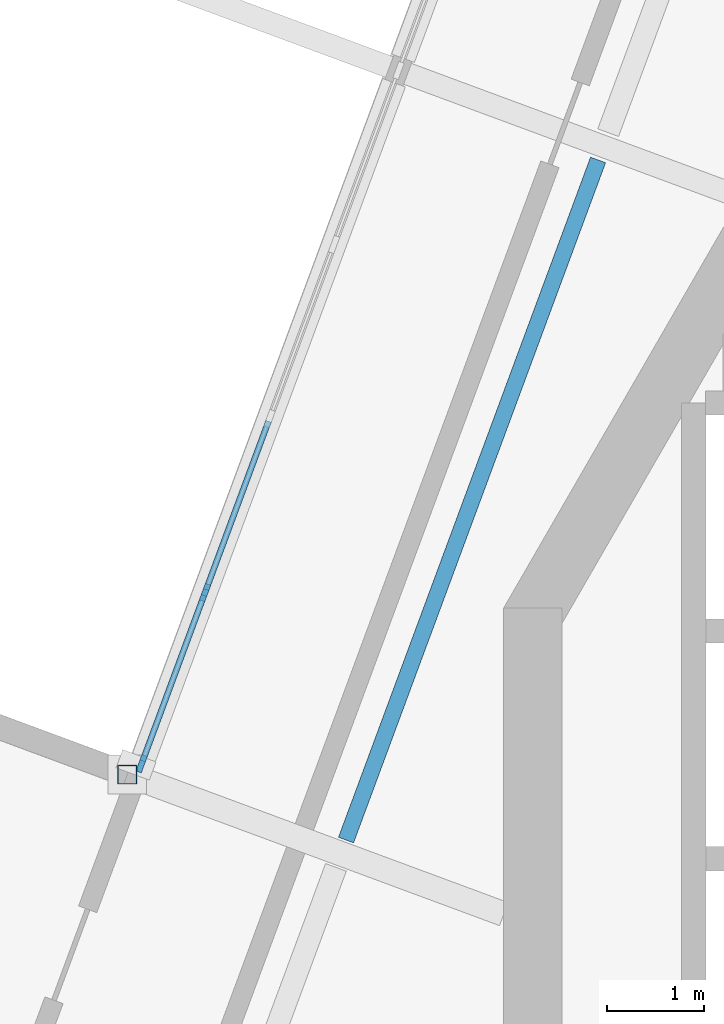
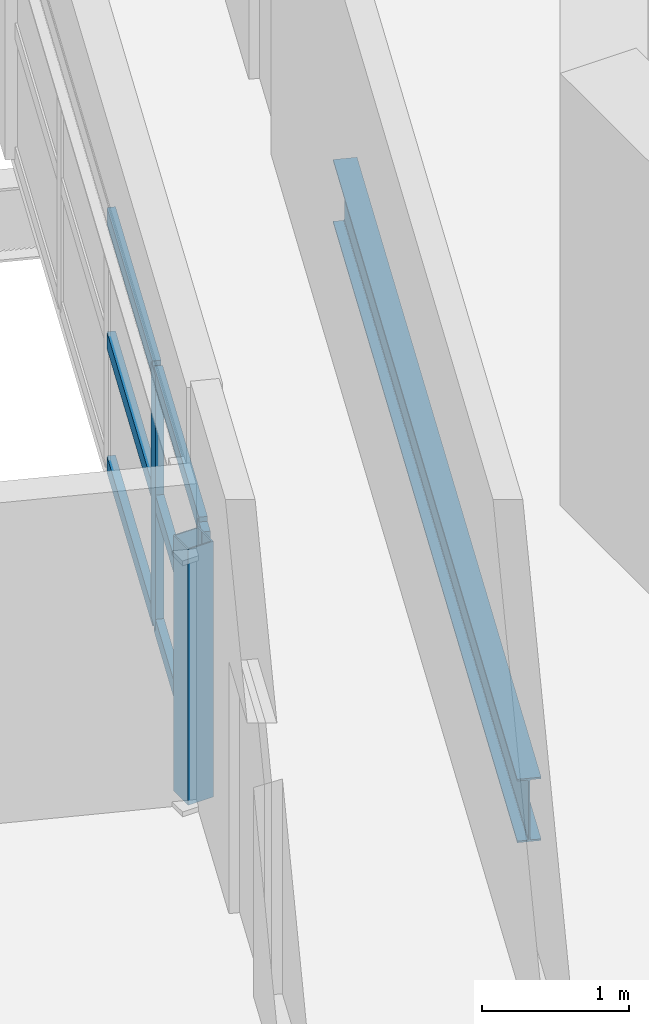
# One storey, part 2 of 20: 9 members, 1 beam, 1 element without a shape of its own.
"""IFC4 building model written with IfcOpenShell, lengths in metres."""

from ifc_helpers import new_model, si_unit, direction, frame, origin, origin_2d, place, context, subcontext, project, spatial, rectangle, hollow_rectangle, i_section, extrude, material, material_profile, profile_set, type_object, element, aggregate, save


model = new_model("IFC4")

# Units and contexts
model_context = context("Model", 3, precision=1e-05, world=origin(), true_north=direction((0.0, 1.0)))
body_context = subcontext(model_context, "Body", "Model", "MODEL_VIEW")
ifc_project = project(units=[si_unit("LENGTHUNIT", "METRE"), si_unit("AREAUNIT", "SQUARE_METRE"), si_unit("VOLUMEUNIT", "CUBIC_METRE"), si_unit("PLANEANGLEUNIT", "RADIAN"), si_unit("MASSUNIT", "GRAM", prefix="KILO")], contexts=[model_context])

# Site, building, storey
site_placement = place(None, origin())
site = spatial("IfcSite", under=ifc_project, at=site_placement, CompositionType="ELEMENT")
building_placement = place(site_placement, origin())
building = spatial("IfcBuilding", under=site, at=building_placement, Name="Cantera Rosa Tower", CompositionType="ELEMENT")
storey_placement = place(building_placement, frame((0.0, 0.0, 309.699951171875)))
storey = spatial("IfcBuildingStorey", under=building, at=storey_placement, Name="L68", CompositionType="ELEMENT", Elevation=309.699951171875)

# Curtain wall, members
ifc_material_1 = material(Name="Aluminium frame with clear glass", Category="aluminium")
curtain_wall_type = type_object("IfcCurtainWallType", Name="CW1 TERRACE POCKET GLAZING", PredefinedType="NOTDEFINED", material=ifc_material_1)
curtain_wall_placement = place(storey_placement, origin())
curtain_wall = element("IfcCurtainWall", 1, at=curtain_wall_placement, inside=storey, type_object=curtain_wall_type, Name="CW1 CW1", PredefinedType="NOTDEFINED")
ifc_material_2 = material(Name="Anodised bronze aluminium", Category="aluminium")
ifc_material_profile_1 = material_profile(ifc_material_2, rectangle(XDim=0.06005859375, YDim=0.179931640625, at=origin_2d()), Name="CW-MULLION 60x180 POCKET")
ifc_profile_set_1 = profile_set([ifc_material_profile_1], Name="Anodised bronze aluminium")
member_type_1 = type_object("IfcMemberType", Name="CW-MULLION 60x180 POCKET", PredefinedType="MULLION", material=ifc_profile_set_1)
member_1_placement = place(storey_placement, frame((-12.739501953125, 2.74658203125, 0.0), z_axis=(0.0, 0.0, 1.0), x_axis=(0.93768693693, -0.347481234472, 0.0)))
member_1 = element("IfcMember", 2, at=member_1_placement, type_object=member_type_1, Name="CW1 mullion 8", PredefinedType="MULLION", context=body_context, shape_type="SweptSolid", body=[
    extrude(rectangle(XDim=0.06005859375, YDim=0.179931640625, at=origin_2d()), origin(), (0.0, 0.0, 1.0), 2.1279296875),
])
member_2_placement = place(storey_placement, frame((-13.39404296875, 0.980224609375, 0.0), z_axis=(0.0, 0.0, 1.0), x_axis=(0.93768693693, -0.347481234472, 0.0)))
member_2 = element("IfcMember", 3, at=member_2_placement, type_object=member_type_1, Name="CW1 mullion 9", PredefinedType="MULLION", context=body_context, shape_type="SweptSolid", body=[
    extrude(rectangle(XDim=0.06005859375, YDim=0.179931640625, at=origin_2d()), origin(), (0.0, 0.0, 1.0), 2.1279296875),
])
ifc_material_3 = material(Name="Anodised bronze aluminium", Category="aluminium")
ifc_material_profile_2 = material_profile(ifc_material_3, rectangle(XDim=0.06005859375, YDim=0.139892578125, at=origin_2d()), Name="CW-TRANSOM 60x140 POCKET")
ifc_profile_set_2 = profile_set([ifc_material_profile_2], Name="Anodised bronze aluminium")
member_type_2 = type_object("IfcMemberType", Name="CW-TRANSOM 60x140 POCKET", PredefinedType="USERDEFINED", material=ifc_profile_set_2)
member_3_placement = place(storey_placement, frame((-12.0849609375, 4.512939453125, 0.030029296875), z_axis=(-0.347425877782, -0.937707448753, 0.0), x_axis=(0.937707448753, -0.347425877782, 0.0)))
member_3 = element("IfcMember", 4, at=member_3_placement, type_object=member_type_2, Name="CW1 transom 7.1", ObjectType="TRANSOM", PredefinedType="USERDEFINED", context=body_context, shape_type="SweptSolid", body=[
    extrude(rectangle(XDim=0.06005859375, YDim=0.139892578125, at=origin_2d()), origin(), (0.0, 0.0, 1.0), 1.853759765625),
])
member_4_placement = place(storey_placement, frame((-12.0849609375, 4.512939453125, 1.06396484375), z_axis=(-0.347425877782, -0.937707448753, 0.0), x_axis=(0.937707448753, -0.347425877782, 0.0)))
member_4 = element("IfcMember", 5, at=member_4_placement, type_object=member_type_2, Name="CW1 transom 7.2", ObjectType="TRANSOM", PredefinedType="USERDEFINED", context=body_context, shape_type="SweptSolid", body=[
    extrude(rectangle(XDim=0.06005859375, YDim=0.139892578125, at=origin_2d()), origin(), (0.0, 0.0, 1.0), 1.853759765625),
])
member_5_placement = place(storey_placement, frame((-12.0849609375, 4.512939453125, 2.09814453125), z_axis=(-0.347425877782, -0.937707448753, 0.0), x_axis=(0.937707448753, -0.347425877782, 0.0)))
member_5 = element("IfcMember", 6, at=member_5_placement, type_object=member_type_2, Name="CW1 transom 7.3", ObjectType="TRANSOM", PredefinedType="USERDEFINED", context=body_context, shape_type="SweptSolid", body=[
    extrude(rectangle(XDim=0.06005859375, YDim=0.139892578125, at=origin_2d()), origin(), (0.0, 0.0, 1.0), 1.853759765625),
])
member_6_placement = place(storey_placement, frame((-12.749755859375, 2.718505859375, 0.030029296875), z_axis=(-0.347497456421, -0.937680925358, 0.0), x_axis=(0.937680925358, -0.347497456421, 0.0)))
member_6 = element("IfcMember", 7, at=member_6_placement, type_object=member_type_2, Name="CW1 transom 8.1", ObjectType="TRANSOM", PredefinedType="USERDEFINED", context=body_context, shape_type="SweptSolid", body=[
    extrude(rectangle(XDim=0.06005859375, YDim=0.139892578125, at=origin_2d()), origin(), (0.0, 0.0, 1.0), 1.823974609375),
])
member_7_placement = place(storey_placement, frame((-12.749755859375, 2.718505859375, 1.06396484375), z_axis=(-0.347497456421, -0.937680925358, 0.0), x_axis=(0.937680925358, -0.347497456421, 0.0)))
member_7 = element("IfcMember", 8, at=member_7_placement, type_object=member_type_2, Name="CW1 transom 8.2", ObjectType="TRANSOM", PredefinedType="USERDEFINED", context=body_context, shape_type="SweptSolid", body=[
    extrude(rectangle(XDim=0.06005859375, YDim=0.139892578125, at=origin_2d()), origin(), (0.0, 0.0, 1.0), 1.823974609375),
])
member_8_placement = place(storey_placement, frame((-12.749755859375, 2.718505859375, 2.09814453125), z_axis=(-0.347497456421, -0.937680925358, 0.0), x_axis=(0.937680925358, -0.347497456421, 0.0)))
member_8 = element("IfcMember", 9, at=member_8_placement, type_object=member_type_2, Name="CW1 transom 8.3", ObjectType="TRANSOM", PredefinedType="USERDEFINED", context=body_context, shape_type="SweptSolid", body=[
    extrude(rectangle(XDim=0.06005859375, YDim=0.139892578125, at=origin_2d()), origin(), (0.0, 0.0, 1.0), 1.823974609375),
])
aggregate(curtain_wall, [member_1, member_2, member_3, member_4, member_5, member_6, member_7, member_8])

# Member
ifc_material_4 = material(Name="Steel ASTM A992 (Fy 345 MPa)", Category="steel")
ifc_material_profile_3 = material_profile(ifc_material_4, hollow_rectangle(XDim=0.199951171875, YDim=0.199951171875, WallThickness=0.010009765625, at=origin_2d()), Name="LINTEL POST RHS 200x200x10")
ifc_profile_set_3 = profile_set([ifc_material_profile_3], Name="Steel ASTM A992 (Fy 345 MPa)")
member_type_3 = type_object("IfcMemberType", Name="LINTEL POST RHS 200x200x10", PredefinedType="USERDEFINED", material=ifc_profile_set_3)
member_9_placement = place(storey_placement, frame((-13.54150390625, 0.86962890625, 0.0), z_axis=(0.0, 0.0, 1.0), x_axis=(1.0, 0.0, 0.0)))
element("IfcMember", 10, at=member_9_placement, inside=storey, type_object=member_type_3, Name="LINTEL POST L68-2", ObjectType="LINTEL POST", PredefinedType="USERDEFINED", context=body_context, shape_type="SweptSolid", body=[
    extrude(hollow_rectangle(XDim=0.199951171875, YDim=0.199951171875, WallThickness=0.010009765625, at=origin_2d()), origin(), (0.0, 0.0, 1.0), 2.130126953125),
])

# Beam
ifc_material_5 = material(Name="Steel ASTM A992 (Fy 345 MPa)", Category="steel")
ifc_material_profile_4 = material_profile(ifc_material_5, i_section(OverallWidth=0.166015625, OverallDepth=0.528076171875, WebThickness=0.009765625, FlangeThickness=0.013671875, FilletRadius=0.0126953125, at=origin_2d()), Name="W530X74")
ifc_profile_set_4 = profile_set([ifc_material_profile_4], Name="Steel ASTM A992 (Fy 345 MPa)")
beam_type = type_object("IfcBeamType", Name="STEEL BEAM W530X74", PredefinedType="BEAM", material=ifc_profile_set_4)
beam_placement = place(storey_placement, frame((-11.285888671875, 0.19384765625, -0.513916015625), z_axis=(0.347486566882, 0.937684960867, 0.0), x_axis=(-0.937684960867, 0.347486566882, 0.0)))
element("IfcBeam", 11, at=beam_placement, inside=storey, type_object=beam_type, Name="RB-Z6-02 L68", PredefinedType="BEAM", context=body_context, shape_type="SweptSolid", body=[
    extrude(i_section(OverallWidth=0.166015625, OverallDepth=0.528076171875, WebThickness=0.009765625, FlangeThickness=0.013671875, FilletRadius=0.0126953125, at=origin_2d()), origin(), (0.0, 0.0, 1.0), 7.479736328125),
])

save(model, "model.ifc")
